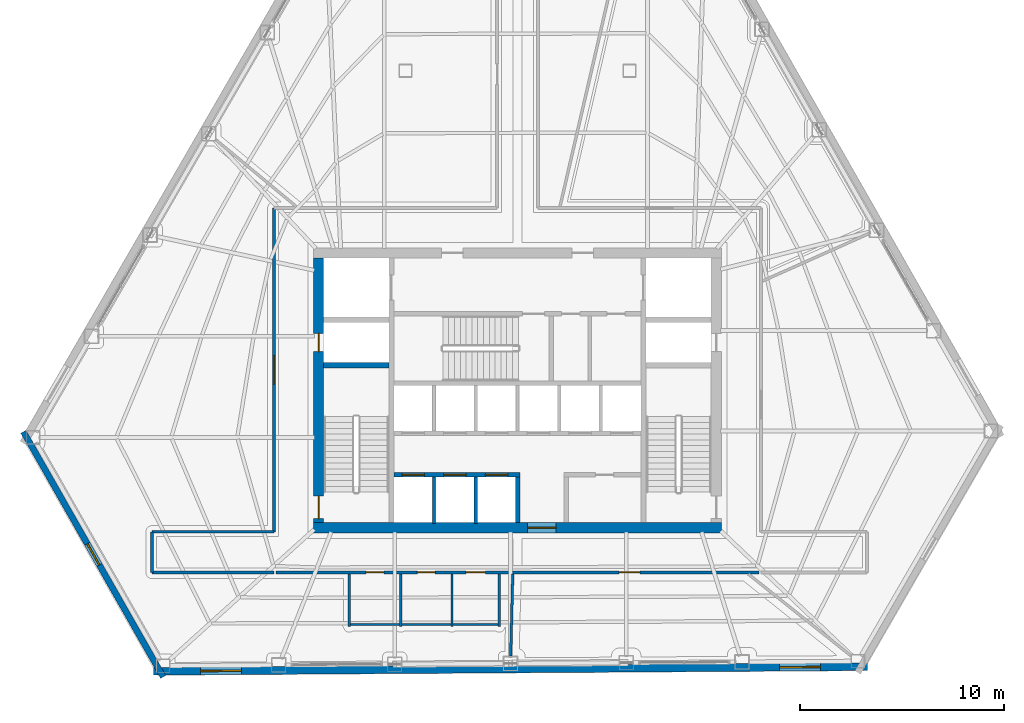
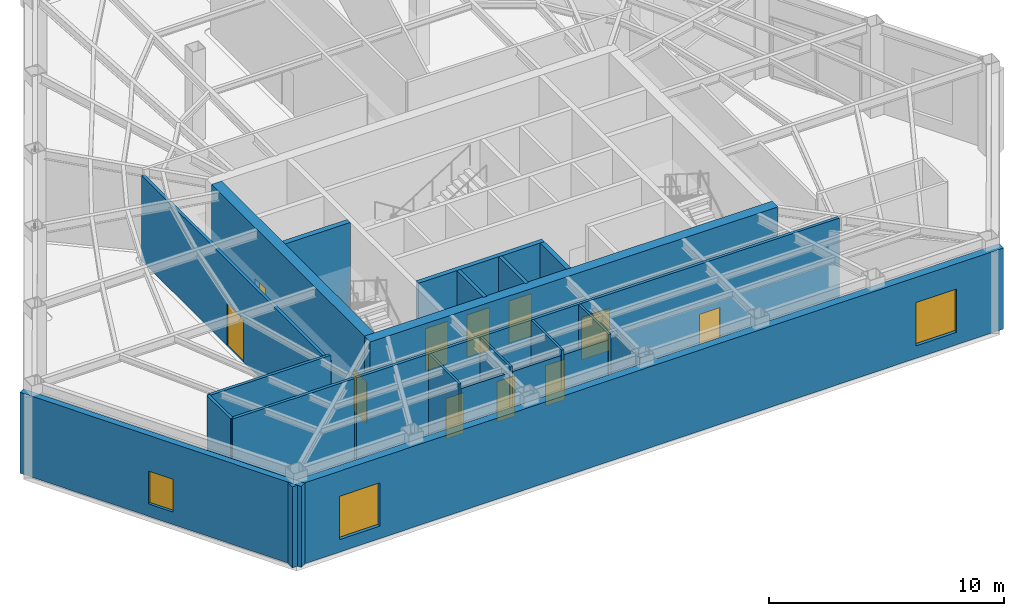
# One storey, part 9 of 14: 20 walls, 11 doors, 3 windows, 14 openings.
"""IFC4 building model written with IfcOpenShell, lengths in metres."""

from ifc_helpers import new_model, si_unit, direction, frame, frame_2d, origin, place, context, subcontext, project, spatial, rectangle, extrude, material, layer, layer_set, type_object, element, fill, save


model = new_model("IFC4")

# Units and contexts
model_context = context("Model", 3, precision=1e-05, world=origin(), true_north=direction((0.0, 1.0)))
body_context = subcontext(model_context, "Body", "Model", "MODEL_VIEW")
ifc_project = project(units=[si_unit("LENGTHUNIT", "METRE"), si_unit("AREAUNIT", "SQUARE_METRE"), si_unit("VOLUMEUNIT", "CUBIC_METRE"), si_unit("PLANEANGLEUNIT", "RADIAN"), si_unit("MASSUNIT", "GRAM", prefix="KILO")], contexts=[model_context])

# Site, building, storey
site_placement = place(None, origin())
site = spatial("IfcSite", under=ifc_project, at=site_placement, CompositionType="ELEMENT")
building_placement = place(site_placement, origin())
building = spatial("IfcBuilding", under=site, at=building_placement, Name="Kavelnor Concourse Tower", CompositionType="ELEMENT")
storey_placement = place(building_placement, frame((0.0, 0.0, 80.5)))
storey = spatial("IfcBuildingStorey", under=building, at=storey_placement, Name="L20", CompositionType="ELEMENT", Elevation=80.5)

# Wall, opening, door
ifc_material_1 = material(Name="Concrete C60/75", Category="concrete")
ifc_layer_1 = layer(ifc_material_1, 0.5, Name="Concrete C60/75")
ifc_layer_set_1 = layer_set([ifc_layer_1], Name="Concrete C60/75")
wall_type_1 = type_object("IfcWallType", Name="WL-CORE-Z2-500", PredefinedType="SOLIDWALL", material=ifc_layer_set_1)
wall_1_placement = place(storey_placement, frame((27.97998046875, 9.35009765625, 0.0), z_axis=(0.0, 0.0, 1.0), x_axis=(1.0, 0.0, 0.0)))
wall_1 = element("IfcWall", 1, at=wall_1_placement, inside=storey, type_object=wall_type_1, Name="L20 Central Core South Shear Wall", PredefinedType="SOLIDWALL", context=body_context, shape_type="SweptSolid", body=[
    extrude(rectangle(XDim=20.0400390625, YDim=0.5, at=frame_2d((10.02001953125, 0.0))), origin(), (0.0, 0.0, 1.0), 4.75),
])
opening_1_placement = place(wall_1_placement, frame((10.52001953125, 0.0, 0.0)))
opening_1 = element("IfcOpeningElement", 2, at=opening_1_placement, cuts=wall_1, Name="Opening SD-140", PredefinedType="OPENING", context=body_context, shape_type="SweptSolid", body=[
    extrude(rectangle(XDim=1.39990234375, YDim=2.199951171875, at=frame_2d((0.699951171875, 1.10009765625))), frame((0.0, 0.260009765625, 0.0), z_axis=(0.0, -1.0, 0.0), x_axis=(1.0, 0.0, 0.0)), (0.0, 0.0, 1.0), 0.52001953125),
])
ifc_material_2 = material(Name="Solid-core hardwood timber", Category="wood")
door_type_1 = type_object("IfcDoorType", Name="DR-SUITE-ENTRY-1400", OperationType="NOTDEFINED", PredefinedType="DOOR", material=ifc_material_2)
door_1_placement = place(opening_1_placement, origin())
door_1 = element("IfcDoor", 3, at=door_1_placement, inside=storey, type_object=door_type_1, Name="L20 Passenger Lift Lobby Entry Door", OperationType="SINGLE_SWING_LEFT", OverallHeight=2.199951171875, OverallWidth=1.39990234375, PredefinedType="DOOR", context=body_context, shape_type="SweptSolid", body=[
    extrude(rectangle(XDim=1.39990234375, YDim=2.199951171875, at=frame_2d((0.699951171875, 1.10009765625))), frame((0.0, 0.02490234375, 0.0), z_axis=(0.0, -1.0, 0.0), x_axis=(1.0, 0.0, 0.0)), (0.0, 0.0, 1.0), 0.050048828125),
])
fill(opening_1, door_1)

# Wall, openings, doors
wall_2_placement = place(storey_placement, frame((28.22998046875, 9.60009765625, 0.0), z_axis=(0.0, 0.0, 1.0), x_axis=(0.0, 1.0, 0.0)))
wall_2 = element("IfcWall", 4, at=wall_2_placement, inside=storey, type_object=wall_type_1, Name="L20 Central Core West Shear Wall", PredefinedType="SOLIDWALL", context=body_context, shape_type="SweptSolid", body=[
    extrude(rectangle(XDim=13.0, YDim=0.5, at=frame_2d((6.5, 0.0))), origin(), (0.0, 0.0, 1.0), 4.75),
])
opening_2_placement = place(wall_2_placement, frame((0.199951171875, 0.0, 0.0)))
opening_2 = element("IfcOpeningElement", 5, at=opening_2_placement, cuts=wall_2, Name="Opening FD-110", PredefinedType="OPENING", context=body_context, shape_type="SweptSolid", body=[
    extrude(rectangle(XDim=1.10009765625, YDim=2.14990234375, at=frame_2d((0.550048828125, 1.074951171875))), frame((0.0, 0.260009765625, 0.0), z_axis=(0.0, -1.0, 0.0), x_axis=(1.0, 0.0, 0.0)), (0.0, 0.0, 1.0), 0.52001953125),
])
opening_3_placement = place(wall_2_placement, frame((8.39990234375, 0.0, 0.0)))
opening_3 = element("IfcOpeningElement", 6, at=opening_3_placement, cuts=wall_2, Name="Opening FD-090", PredefinedType="OPENING", context=body_context, shape_type="SweptSolid", body=[
    extrude(rectangle(XDim=0.89990234375, YDim=2.10009765625, at=frame_2d((0.449951171875, 1.050048828125))), frame((0.0, 0.260009765625, 0.0), z_axis=(0.0, -1.0, 0.0), x_axis=(1.0, 0.0, 0.0)), (0.0, 0.0, 1.0), 0.52001953125),
])
ifc_material_3 = material(Name="Steel Grade 350", Category="steel")
door_type_2 = type_object("IfcDoorType", Name="DR-RISER-FIRE-900", OperationType="NOTDEFINED", PredefinedType="DOOR", material=ifc_material_3)
door_2_placement = place(opening_3_placement, origin())
door_2 = element("IfcDoor", 7, at=door_2_placement, inside=storey, type_object=door_type_2, Name="L20 West Riser Access Door", OperationType="SINGLE_SWING_RIGHT", OverallHeight=2.10009765625, OverallWidth=0.89990234375, PredefinedType="DOOR", context=body_context, shape_type="SweptSolid", body=[
    extrude(rectangle(XDim=0.89990234375, YDim=2.10009765625, at=frame_2d((0.449951171875, 1.050048828125))), frame((0.0, 0.02490234375, 0.0), z_axis=(0.0, -1.0, 0.0), x_axis=(1.0, 0.0, 0.0)), (0.0, 0.0, 1.0), 0.050048828125),
])
fill(opening_3, door_2)
door_type_3 = type_object("IfcDoorType", Name="DR-STAIR-FIRE-1100", OperationType="NOTDEFINED", PredefinedType="DOOR", material=ifc_material_3)
door_3_placement = place(opening_2_placement, origin())
door_3 = element("IfcDoor", 8, at=door_3_placement, inside=storey, type_object=door_type_3, Name="L20 Stair ST1 Fire Door", OperationType="SINGLE_SWING_LEFT", OverallHeight=2.14990234375, OverallWidth=1.10009765625, PredefinedType="DOOR", context=body_context, shape_type="SweptSolid", body=[
    extrude(rectangle(XDim=1.10009765625, YDim=2.14990234375, at=frame_2d((0.550048828125, 1.074951171875))), frame((0.0, 0.02490234375, 0.0), z_axis=(0.0, -1.0, 0.0), x_axis=(1.0, 0.0, 0.0)), (0.0, 0.0, 1.0), 0.050048828125),
])
fill(opening_2, door_3)

# Wall, opening, window
ifc_material_4 = material(Name="Buff ironspot clay face brick masonry", Category="masonry")
ifc_layer_2 = layer(ifc_material_4, 0.300048828125, Name="Buff ironspot clay face brick masonry")
ifc_layer_set_2 = layer_set([ifc_layer_2], Name="Buff ironspot clay face brick masonry")
wall_type_2 = type_object("IfcWallType", Name="WL-EXT-BUFF-BRICK-FOLD-300", PredefinedType="STANDARD", material=ifc_layer_set_2)
wall_3_placement = place(storey_placement, frame((20.59375, 2.01611328125, 0.0), z_axis=(0.0, 0.0, 1.0), x_axis=(-0.49520596698, 0.868775604093, 0.0)))
wall_3 = element("IfcWall", 9, at=wall_3_placement, inside=storey, type_object=wall_type_2, Name="L20 Exterior Brick Facade Wall E2", PredefinedType="STANDARD", context=body_context, shape_type="SweptSolid", body=[
    extrude(rectangle(XDim=13.869384765625, YDim=0.300048828125, at=frame_2d((6.9345703125, 0.0))), origin(), (0.0, 0.0, 1.0), 4.208984375),
])
opening_4_placement = place(wall_3_placement, frame((6.334716796875, 0.0, 0.64990234375)))
opening_4 = element("IfcOpeningElement", 10, at=opening_4_placement, cuts=wall_3, Name="Opening W-05", PredefinedType="OPENING", context=body_context, shape_type="SweptSolid", body=[
    extrude(rectangle(XDim=1.199951171875, YDim=1.699951171875, at=frame_2d((0.60009765625, 0.85009765625))), frame((0.0, 0.16015625, 0.0), z_axis=(0.0, -1.0, 0.0), x_axis=(1.0, 0.0, 0.0)), (0.0, 0.0, 1.0), 0.320068359375),
])
ifc_material_5 = material(Name="Double low-E argon insulated glazing", Category="glass")
window_type_1 = type_object("IfcWindowType", Name="WIN-FOLD-1200", PartitioningType="SINGLE_PANEL", PredefinedType="WINDOW", material=ifc_material_5)
window_1_placement = place(opening_4_placement, origin())
window_1 = element("IfcWindow", 11, at=window_1_placement, inside=storey, type_object=window_type_1, Name="L20 Chamfer-Fold Facet Window C1", OverallHeight=1.699951171875, OverallWidth=1.199951171875, PartitioningType="SINGLE_PANEL", PredefinedType="WINDOW", context=body_context, shape_type="SweptSolid", body=[
    extrude(rectangle(XDim=1.199951171875, YDim=1.699951171875, at=frame_2d((0.60009765625, 0.85009765625))), frame((0.0, 0.030029296875, 0.0), z_axis=(0.0, -1.0, 0.0), x_axis=(1.0, 0.0, 0.0)), (0.0, 0.0, 1.0), 0.06005859375),
])
fill(opening_4, window_1)

# Wall, openings, windows
ifc_material_6 = material(Name="Red-ochre clay face brick masonry", Category="masonry")
ifc_layer_3 = layer(ifc_material_6, 0.3798828125, Name="Red-ochre clay face brick masonry")
ifc_layer_set_3 = layer_set([ifc_layer_3], Name="Red-ochre clay face brick masonry")
wall_type_3 = type_object("IfcWallType", Name="WL-EXT-RED-BRICK-PIER-380", PredefinedType="STANDARD", material=ifc_layer_set_3)
wall_4_placement = place(storey_placement, frame((55.2001953125, 2.52001953125, 0.0), z_axis=(0.0, 0.0, 1.0), x_axis=(-0.999979379683, -0.006421854009, 0.0)))
wall_4 = element("IfcWall", 12, at=wall_4_placement, inside=storey, type_object=wall_type_3, Name="L20 Exterior Brick Facade Wall E3", PredefinedType="STANDARD", context=body_context, shape_type="SweptSolid", body=[
    extrude(rectangle(XDim=35.08984375, YDim=0.3798828125, at=frame_2d((17.544921875, 0.0))), origin(), (0.0, 0.0, 1.0), 4.208984375),
])
opening_5_placement = place(wall_4_placement, frame((30.7646484375, 0.0, 0.64990234375)))
opening_5 = element("IfcOpeningElement", 13, at=opening_5_placement, cuts=wall_4, Name="Opening W-07", PredefinedType="OPENING", context=body_context, shape_type="SweptSolid", body=[
    extrude(rectangle(XDim=2.0, YDim=2.25, at=frame_2d((1.0, 1.125))), frame((0.0, 0.199951171875, 0.0), z_axis=(0.0, -1.0, 0.0), x_axis=(1.0, 0.0, 0.0)), (0.0, 0.0, 1.0), 0.39990234375),
])
opening_6_placement = place(wall_4_placement, frame((2.3193359375, 0.0, 0.64990234375)))
opening_6 = element("IfcOpeningElement", 14, at=opening_6_placement, cuts=wall_4, Name="Opening W-07", PredefinedType="OPENING", context=body_context, shape_type="SweptSolid", body=[
    extrude(rectangle(XDim=2.0, YDim=2.25, at=frame_2d((1.0, 1.125))), frame((0.0, 0.199951171875, 0.0), z_axis=(0.0, -1.0, 0.0), x_axis=(1.0, 0.0, 0.0)), (0.0, 0.0, 1.0), 0.39990234375),
])
window_type_2 = type_object("IfcWindowType", Name="WIN-SKYLOBBY-2200", PartitioningType="SINGLE_PANEL", PredefinedType="WINDOW", material=ifc_material_5)
window_2_placement = place(opening_5_placement, origin())
window_2 = element("IfcWindow", 15, at=window_2_placement, inside=storey, type_object=window_type_2, Name="L20 Deep-Set Brick Pier Window F1-B0", OverallHeight=2.25, OverallWidth=2.0, PartitioningType="SINGLE_PANEL", PredefinedType="WINDOW", context=body_context, shape_type="SweptSolid", body=[
    extrude(rectangle(XDim=2.0, YDim=2.25, at=frame_2d((1.0, 1.125))), frame((0.0, 0.030029296875, 0.0), z_axis=(0.0, -1.0, 0.0), x_axis=(1.0, 0.0, 0.0)), (0.0, 0.0, 1.0), 0.06005859375),
])
fill(opening_5, window_2)
window_3_placement = place(opening_6_placement, origin())
window_3 = element("IfcWindow", 16, at=window_3_placement, inside=storey, type_object=window_type_2, Name="L20 Deep-Set Brick Pier Window F1-B5", OverallHeight=2.25, OverallWidth=2.0, PartitioningType="SINGLE_PANEL", PredefinedType="WINDOW", context=body_context, shape_type="SweptSolid", body=[
    extrude(rectangle(XDim=2.0, YDim=2.25, at=frame_2d((1.0, 1.125))), frame((0.0, 0.030029296875, 0.0), z_axis=(0.0, -1.0, 0.0), x_axis=(1.0, 0.0, 0.0)), (0.0, 0.0, 1.0), 0.06005859375),
])
fill(opening_6, window_3)

# Wall
ifc_material_7 = material(Name="Gypsum plasterboard on light-gauge steel studs", Category="steel")
ifc_layer_4 = layer(ifc_material_7, 0.14501953125, Name="Gypsum plasterboard on light-gauge steel studs")
ifc_layer_set_4 = layer_set([ifc_layer_4], Name="Gypsum plasterboard on light-gauge steel studs")
wall_type_4 = type_object("IfcWallType", Name="WL-INT-CORR-145", PredefinedType="PARTITIONING", material=ifc_layer_set_4)
wall_5_placement = place(storey_placement, frame((20.049560546875, 9.14990234375, 0.0), z_axis=(0.0, 0.0, 1.0), x_axis=(1.0, 0.0, 0.0)))
element("IfcWall", 17, at=wall_5_placement, inside=storey, type_object=wall_type_4, Name="L20 Corridor Wall WL-L20-CR-01", PredefinedType="PARTITIONING", context=body_context, shape_type="SweptSolid", body=[
    extrude(rectangle(XDim=5.98046875, YDim=0.14501953125, at=frame_2d((2.990234375, 0.0))), origin(), (0.0, 0.0, 1.0), 4.75),
])

# Wall, opening, door
wall_6_placement = place(storey_placement, frame((26.030029296875, 9.14990234375, 0.0), z_axis=(0.0, 0.0, 1.0), x_axis=(0.0, 1.0, 0.0)))
wall_6 = element("IfcWall", 18, at=wall_6_placement, inside=storey, type_object=wall_type_4, Name="L20 Corridor Wall WL-L20-CR-02", PredefinedType="PARTITIONING", context=body_context, shape_type="SweptSolid", body=[
    extrude(rectangle(XDim=15.900146484375, YDim=0.14501953125, at=frame_2d((7.9501953125, 0.0))), origin(), (0.0, 0.0, 1.0), 4.43798828125),
])
opening_7_placement = place(wall_6_placement, frame((7.25, 0.0, 0.0)))
opening_7 = element("IfcOpeningElement", 19, at=opening_7_placement, cuts=wall_6, Name="Opening SD-140", PredefinedType="OPENING", context=body_context, shape_type="SweptSolid", body=[
    extrude(rectangle(XDim=1.39990234375, YDim=2.199951171875, at=frame_2d((0.699951171875, 1.10009765625))), frame((0.0, 0.08251953125, 0.0), z_axis=(0.0, -1.0, 0.0), x_axis=(1.0, 0.0, 0.0)), (0.0, 0.0, 1.0), 0.1650390625),
])
door_4_placement = place(opening_7_placement, origin())
door_4 = element("IfcDoor", 20, at=door_4_placement, inside=storey, type_object=door_type_1, Name="L20 Sky Banquet Dining Room 03 Door", OperationType="SINGLE_SWING_RIGHT", OverallHeight=2.199951171875, OverallWidth=1.39990234375, PredefinedType="DOOR", context=body_context, shape_type="SweptSolid", body=[
    extrude(rectangle(XDim=1.39990234375, YDim=2.199951171875, at=frame_2d((0.699951171875, 1.10009765625))), frame((0.0, 0.02490234375, 0.0), z_axis=(0.0, -1.0, 0.0), x_axis=(1.0, 0.0, 0.0)), (0.0, 0.0, 1.0), 0.050048828125),
])
fill(opening_7, door_4)

# Wall, openings, doors
wall_7_placement = place(storey_placement, frame((49.8701171875, 7.14990234375, 0.0), z_axis=(0.0, 0.0, 1.0), x_axis=(-1.0, 0.0, 0.0)))
wall_7 = element("IfcWall", 21, at=wall_7_placement, inside=storey, type_object=wall_type_4, Name="L20 Corridor Wall WL-L20-CR-12", PredefinedType="PARTITIONING", context=body_context, shape_type="SweptSolid", body=[
    extrude(rectangle(XDim=23.740234375, YDim=0.14501953125, at=frame_2d((11.8701171875, 0.0))), origin(), (0.0, 0.0, 1.0), 4.75),
])
opening_8_placement = place(wall_7_placement, frame((18.429931640625, 0.0, 0.0)))
opening_8 = element("IfcOpeningElement", 22, at=opening_8_placement, cuts=wall_7, Name="Opening WD-088", PredefinedType="OPENING", context=body_context, shape_type="SweptSolid", body=[
    extrude(rectangle(XDim=0.8798828125, YDim=2.10009765625, at=frame_2d((0.43994140625, 1.050048828125))), frame((0.0, 0.08251953125, 0.0), z_axis=(0.0, -1.0, 0.0), x_axis=(1.0, 0.0, 0.0)), (0.0, 0.0, 1.0), 0.1650390625),
])
opening_9_placement = place(wall_7_placement, frame((15.909912109375, 0.0, 0.0)))
opening_9 = element("IfcOpeningElement", 23, at=opening_9_placement, cuts=wall_7, Name="Opening WD-088", PredefinedType="OPENING", context=body_context, shape_type="SweptSolid", body=[
    extrude(rectangle(XDim=0.8798828125, YDim=2.10009765625, at=frame_2d((0.43994140625, 1.050048828125))), frame((0.0, 0.08251953125, 0.0), z_axis=(0.0, -1.0, 0.0), x_axis=(1.0, 0.0, 0.0)), (0.0, 0.0, 1.0), 0.1650390625),
])
opening_10_placement = place(wall_7_placement, frame((13.449951171875, 0.0, 0.0)))
opening_10 = element("IfcOpeningElement", 24, at=opening_10_placement, cuts=wall_7, Name="Opening WD-096", PredefinedType="OPENING", context=body_context, shape_type="SweptSolid", body=[
    extrude(rectangle(XDim=0.9599609375, YDim=2.10009765625, at=frame_2d((0.47998046875, 1.050048828125))), frame((0.0, 0.08251953125, 0.0), z_axis=(0.0, -1.0, 0.0), x_axis=(1.0, 0.0, 0.0)), (0.0, 0.0, 1.0), 0.1650390625),
])
opening_11_placement = place(wall_7_placement, frame((5.85693359375, 0.0, 0.0)))
opening_11 = element("IfcOpeningElement", 25, at=opening_11_placement, cuts=wall_7, Name="Opening MD-102", PredefinedType="OPENING", context=body_context, shape_type="SweptSolid", body=[
    extrude(rectangle(XDim=1.02001953125, YDim=2.14990234375, at=frame_2d((0.510009765625, 1.074951171875))), frame((0.0, 0.08251953125, 0.0), z_axis=(0.0, -1.0, 0.0), x_axis=(1.0, 0.0, 0.0)), (0.0, 0.0, 1.0), 0.1650390625),
])
ifc_material_8 = material(Name="Acoustic glazed timber frame", Category="wood")
door_type_4 = type_object("IfcDoorType", Name="DR-MEETING-1020", OperationType="NOTDEFINED", PredefinedType="DOOR", material=ifc_material_8)
door_5_placement = place(opening_11_placement, origin())
door_5 = element("IfcDoor", 26, at=door_5_placement, inside=storey, type_object=door_type_4, Name="L20 Members Hospitality Meeting Room 04 Door", OperationType="SINGLE_SWING_LEFT", OverallHeight=2.14990234375, OverallWidth=1.02001953125, PredefinedType="DOOR", context=body_context, shape_type="SweptSolid", body=[
    extrude(rectangle(XDim=1.02001953125, YDim=2.14990234375, at=frame_2d((0.510009765625, 1.074951171875))), frame((0.0, 0.02490234375, 0.0), z_axis=(0.0, -1.0, 0.0), x_axis=(1.0, 0.0, 0.0)), (0.0, 0.0, 1.0), 0.050048828125),
])
fill(opening_11, door_5)
door_type_5 = type_object("IfcDoorType", Name="DR-WC-ACC-960", OperationType="NOTDEFINED", PredefinedType="DOOR", material=ifc_material_2)
door_6_placement = place(opening_10_placement, origin())
door_6 = element("IfcDoor", 27, at=door_6_placement, inside=storey, type_object=door_type_5, Name="L20 Accessible WC Door", OperationType="SINGLE_SWING_LEFT", OverallHeight=2.10009765625, OverallWidth=0.9599609375, PredefinedType="DOOR", context=body_context, shape_type="SweptSolid", body=[
    extrude(rectangle(XDim=0.9599609375, YDim=2.10009765625, at=frame_2d((0.47998046875, 1.050048828125))), frame((0.0, 0.02490234375, 0.0), z_axis=(0.0, -1.0, 0.0), x_axis=(1.0, 0.0, 0.0)), (0.0, 0.0, 1.0), 0.050048828125),
])
fill(opening_10, door_6)
door_type_6 = type_object("IfcDoorType", Name="DR-WC-STD-880", OperationType="NOTDEFINED", PredefinedType="DOOR", material=ifc_material_2)
door_7_placement = place(opening_8_placement, origin())
door_7 = element("IfcDoor", 28, at=door_7_placement, inside=storey, type_object=door_type_6, Name="L20 Male WC Door", OperationType="SINGLE_SWING_LEFT", OverallHeight=2.10009765625, OverallWidth=0.8798828125, PredefinedType="DOOR", context=body_context, shape_type="SweptSolid", body=[
    extrude(rectangle(XDim=0.8798828125, YDim=2.10009765625, at=frame_2d((0.43994140625, 1.050048828125))), frame((0.0, 0.02490234375, 0.0), z_axis=(0.0, -1.0, 0.0), x_axis=(1.0, 0.0, 0.0)), (0.0, 0.0, 1.0), 0.050048828125),
])
fill(opening_8, door_7)
door_8_placement = place(opening_9_placement, origin())
door_8 = element("IfcDoor", 29, at=door_8_placement, inside=storey, type_object=door_type_6, Name="L20 Female WC Door", OperationType="SINGLE_SWING_RIGHT", OverallHeight=2.10009765625, OverallWidth=0.8798828125, PredefinedType="DOOR", context=body_context, shape_type="SweptSolid", body=[
    extrude(rectangle(XDim=0.8798828125, YDim=2.10009765625, at=frame_2d((0.43994140625, 1.050048828125))), frame((0.0, 0.02490234375, 0.0), z_axis=(0.0, -1.0, 0.0), x_axis=(1.0, 0.0, 0.0)), (0.0, 0.0, 1.0), 0.050048828125),
])
fill(opening_9, door_8)

# Walls
wall_8_placement = place(storey_placement, frame((26.030029296875, 7.14990234375, 0.0), z_axis=(0.0, 0.0, 1.0), x_axis=(-1.0, 0.0, 0.0)))
element("IfcWall", 30, at=wall_8_placement, inside=storey, type_object=wall_type_4, Name="L20 Corridor Wall WL-L20-CR-13", PredefinedType="PARTITIONING", context=body_context, shape_type="SweptSolid", body=[
    extrude(rectangle(XDim=5.98046875, YDim=0.14501953125, at=frame_2d((2.990234375, 0.0))), origin(), (0.0, 0.0, 1.0), 4.75),
])
wall_9_placement = place(storey_placement, frame((20.049560546875, 7.14990234375, 0.0), z_axis=(0.0, 0.0, 1.0), x_axis=(0.0, 1.0, 0.0)))
element("IfcWall", 31, at=wall_9_placement, inside=storey, type_object=wall_type_4, Name="L20 Corridor Wall WL-L20-CR-14", PredefinedType="PARTITIONING", context=body_context, shape_type="SweptSolid", body=[
    extrude(rectangle(XDim=2.0, YDim=0.14501953125, at=frame_2d((1.0, 0.0))), origin(), (0.0, 0.0, 1.0), 4.75),
])
ifc_layer_5 = layer(ifc_material_7, 0.1650390625, Name="Gypsum plasterboard on light-gauge steel studs")
ifc_layer_set_5 = layer_set([ifc_layer_5], Name="Gypsum plasterboard on light-gauge steel studs")
wall_type_5 = type_object("IfcWallType", Name="WL-INT-FIRE-165", PredefinedType="PARTITIONING", material=ifc_layer_set_5)
for number, where, z_axis, x_axis, name in (
    (32, (33.89990234375, 9.550048828125, 0.0), (0.0, 0.0, 1.0), (0.0, 1.0, 0.0), "L20 Lift Shaft Divider LP7"),
    (33, (35.949951171875, 9.550048828125, 0.0), (0.0, 0.0, 1.0), (0.0, 1.0, 0.0), "L20 Lift Shaft Divider LP8"),
):
    element("IfcWall", number, at=place(storey_placement, frame(where, z_axis=z_axis, x_axis=x_axis)), inside=storey, type_object=wall_type_5, Name=name, PredefinedType="PARTITIONING", context=body_context, shape_type="SweptSolid", body=[
        extrude(rectangle(XDim=2.2900390625, YDim=0.1650390625, at=frame_2d((1.14501953125, 0.0))), origin(), (0.0, 0.0, 1.0), 4.75),
    ])
ifc_layer_6 = layer(ifc_material_7, 0.125, Name="Gypsum plasterboard on light-gauge steel studs")
ifc_layer_set_6 = layer_set([ifc_layer_6], Name="Gypsum plasterboard on light-gauge steel studs")
wall_type_6 = type_object("IfcWallType", Name="WL-INT-SUITE-125", PredefinedType="PARTITIONING", material=ifc_layer_set_6)
wall_10_placement = place(storey_placement, frame((37.769287109375, 7.069580078125, 0.0), z_axis=(0.0, 0.0, 1.0), x_axis=(-0.025533139841, -0.999673976239, 0.0)))
element("IfcWall", 34, at=wall_10_placement, inside=storey, type_object=wall_type_6, Name="L20 Radial Suite Partition 04", PredefinedType="PARTITIONING", context=body_context, shape_type="SweptSolid", body=[
    extrude(rectangle(XDim=4.025390625, YDim=0.125, at=frame_2d((2.0126953125, 0.0))), origin(), (0.0, 0.0, 1.0), 4.291015625),
])
ifc_layer_7 = layer(ifc_material_7, 0.110107421875, Name="Gypsum plasterboard on light-gauge steel studs")
ifc_layer_set_7 = layer_set([ifc_layer_7], Name="Gypsum plasterboard on light-gauge steel studs")
wall_type_7 = type_object("IfcWallType", Name="WL-INT-WC-110", PredefinedType="PLUMBINGWALL", material=ifc_layer_set_7)
for number, where, z_axis, x_axis, name in (
    (35, (29.739990234375, 4.5, 0.0), (0.0, 0.0, 1.0), (0.0, 1.0, 0.0), "L20 Sanitary Partition WL-L20-WC-W"),
    (36, (32.260009765625, 4.5, 0.0), (0.0, 0.0, 1.0), (0.0, 1.0, 0.0), "L20 Sanitary Partition WL-L20-WC-D1"),
    (37, (34.780029296875, 4.5, 0.0), (0.0, 0.0, 1.0), (0.0, 1.0, 0.0), "L20 Sanitary Partition WL-L20-WC-D2"),
    (38, (37.10009765625, 4.5, 0.0), (0.0, 0.0, 1.0), (0.0, 1.0, 0.0), "L20 Sanitary Partition WL-L20-WC-E"),
):
    element("IfcWall", number, at=place(storey_placement, frame(where, z_axis=z_axis, x_axis=x_axis)), inside=storey, type_object=wall_type_7, Name=name, PredefinedType="PLUMBINGWALL", context=body_context, shape_type="SweptSolid", body=[
        extrude(rectangle(XDim=2.580078125, YDim=0.110107421875, at=frame_2d((1.2900390625, 0.0))), origin(), (0.0, 0.0, 1.0), 4.75),
    ])
wall_11_placement = place(storey_placement, frame((29.68994140625, 4.60009765625, 0.0), z_axis=(0.0, 0.0, 1.0), x_axis=(1.0, 0.0, 0.0)))
element("IfcWall", 39, at=wall_11_placement, inside=storey, type_object=wall_type_7, Name="L20 Sanitary Partition WL-L20-WC-S", PredefinedType="PLUMBINGWALL", context=body_context, shape_type="SweptSolid", body=[
    extrude(rectangle(XDim=7.4599609375, YDim=0.110107421875, at=frame_2d((3.72998046875, 0.0))), origin(), (0.0, 0.0, 1.0), 4.43798828125),
])

# Wall, openings, doors
ifc_material_9 = material(Name="Concrete C50/60", Category="concrete")
ifc_layer_8 = layer(ifc_material_9, 0.219970703125, Name="Concrete C50/60")
ifc_layer_set_8 = layer_set([ifc_layer_8], Name="Concrete C50/60")
wall_type_8 = type_object("IfcWallType", Name="WL-SHAFT-220", PredefinedType="SOLIDWALL", material=ifc_layer_set_8)
wall_12_placement = place(storey_placement, frame((31.93994140625, 11.949951171875, 0.0), z_axis=(0.0, 0.0, 1.0), x_axis=(1.0, 0.0, 0.0)))
wall_12 = element("IfcWall", 40, at=wall_12_placement, inside=storey, type_object=wall_type_8, Name="L20 High-Rise Lift Bank North Wall", PredefinedType="SOLIDWALL", context=body_context, shape_type="SweptSolid", body=[
    extrude(rectangle(XDim=6.18994140625, YDim=0.219970703125, at=frame_2d((3.094970703125, 0.0))), origin(), (0.0, 0.0, 1.0), 4.75),
])
opening_12_placement = place(wall_12_placement, frame((0.385009765625, 0.0, 0.0)))
opening_12 = element("IfcOpeningElement", 41, at=opening_12_placement, cuts=wall_12, Name="Opening LD-110", PredefinedType="OPENING", context=body_context, shape_type="SweptSolid", body=[
    extrude(rectangle(XDim=1.10009765625, YDim=2.199951171875, at=frame_2d((0.550048828125, 1.10009765625))), frame((0.0, 0.1201171875, 0.0), z_axis=(0.0, -1.0, 0.0), x_axis=(1.0, 0.0, 0.0)), (0.0, 0.0, 1.0), 0.239990234375),
])
opening_13_placement = place(wall_12_placement, frame((2.43505859375, 0.0, 0.0)))
opening_13 = element("IfcOpeningElement", 42, at=opening_13_placement, cuts=wall_12, Name="Opening LD-110", PredefinedType="OPENING", context=body_context, shape_type="SweptSolid", body=[
    extrude(rectangle(XDim=1.10009765625, YDim=2.199951171875, at=frame_2d((0.550048828125, 1.10009765625))), frame((0.0, 0.1201171875, 0.0), z_axis=(0.0, -1.0, 0.0), x_axis=(1.0, 0.0, 0.0)), (0.0, 0.0, 1.0), 0.239990234375),
])
opening_14_placement = place(wall_12_placement, frame((4.485107421875, 0.0, 0.0)))
opening_14 = element("IfcOpeningElement", 43, at=opening_14_placement, cuts=wall_12, Name="Opening LD-110", PredefinedType="OPENING", context=body_context, shape_type="SweptSolid", body=[
    extrude(rectangle(XDim=1.10009765625, YDim=2.199951171875, at=frame_2d((0.550048828125, 1.10009765625))), frame((0.0, 0.1201171875, 0.0), z_axis=(0.0, -1.0, 0.0), x_axis=(1.0, 0.0, 0.0)), (0.0, 0.0, 1.0), 0.239990234375),
])
door_type_7 = type_object("IfcDoorType", Name="DR-LIFT-SLIDING-1100", OperationType="NOTDEFINED", PredefinedType="DOOR", material=ifc_material_3)
door_9_placement = place(opening_12_placement, origin())
door_9 = element("IfcDoor", 44, at=door_9_placement, inside=storey, type_object=door_type_7, Name="L20 Lift LP7 Landing Door", OperationType="DOUBLE_DOOR_SLIDING", OverallHeight=2.199951171875, OverallWidth=1.10009765625, PredefinedType="DOOR", context=body_context, shape_type="SweptSolid", body=[
    extrude(rectangle(XDim=1.10009765625, YDim=2.199951171875, at=frame_2d((0.550048828125, 1.10009765625))), frame((0.0, 0.02490234375, 0.0), z_axis=(0.0, -1.0, 0.0), x_axis=(1.0, 0.0, 0.0)), (0.0, 0.0, 1.0), 0.050048828125),
])
fill(opening_12, door_9)
door_10_placement = place(opening_13_placement, origin())
door_10 = element("IfcDoor", 45, at=door_10_placement, inside=storey, type_object=door_type_7, Name="L20 Lift LP8 Landing Door", OperationType="DOUBLE_DOOR_SLIDING", OverallHeight=2.199951171875, OverallWidth=1.10009765625, PredefinedType="DOOR", context=body_context, shape_type="SweptSolid", body=[
    extrude(rectangle(XDim=1.10009765625, YDim=2.199951171875, at=frame_2d((0.550048828125, 1.10009765625))), frame((0.0, 0.02490234375, 0.0), z_axis=(0.0, -1.0, 0.0), x_axis=(1.0, 0.0, 0.0)), (0.0, 0.0, 1.0), 0.050048828125),
])
fill(opening_13, door_10)
door_11_placement = place(opening_14_placement, origin())
door_11 = element("IfcDoor", 46, at=door_11_placement, inside=storey, type_object=door_type_7, Name="L20 Lift LP9 Landing Door", OperationType="DOUBLE_DOOR_SLIDING", OverallHeight=2.199951171875, OverallWidth=1.10009765625, PredefinedType="DOOR", context=body_context, shape_type="SweptSolid", body=[
    extrude(rectangle(XDim=1.10009765625, YDim=2.199951171875, at=frame_2d((0.550048828125, 1.10009765625))), frame((0.0, 0.02490234375, 0.0), z_axis=(0.0, -1.0, 0.0), x_axis=(1.0, 0.0, 0.0)), (0.0, 0.0, 1.0), 0.050048828125),
])
fill(opening_14, door_11)

# Walls
wall_13_placement = place(storey_placement, frame((38.02001953125, 9.60009765625, 0.0), z_axis=(0.0, 0.0, 1.0), x_axis=(0.0, 1.0, 0.0)))
element("IfcWall", 47, at=wall_13_placement, inside=storey, type_object=wall_type_8, Name="L20 Lift Lobby Throat West Wall", PredefinedType="SOLIDWALL", context=body_context, shape_type="SweptSolid", body=[
    extrude(rectangle(XDim=2.239990234375, YDim=0.219970703125, at=frame_2d((1.1201171875, 0.0))), origin(), (0.0, 0.0, 1.0), 4.75),
])
ifc_layer_9 = layer(ifc_material_9, 0.260009765625, Name="Concrete C50/60")
ifc_layer_set_9 = layer_set([ifc_layer_9], Name="Concrete C50/60")
wall_type_9 = type_object("IfcWallType", Name="WL-SHAFT-260", PredefinedType="SHEAR", material=ifc_layer_set_9)
wall_14_placement = place(storey_placement, frame((28.47998046875, 17.330078125, 0.0), z_axis=(0.0, 0.0, 1.0), x_axis=(1.0, 0.0, 0.0)))
element("IfcWall", 48, at=wall_14_placement, inside=storey, type_object=wall_type_9, Name="L20 Stair ST1 North Shaft Wall", PredefinedType="SHEAR", context=body_context, shape_type="SweptSolid", body=[
    extrude(rectangle(XDim=3.199951171875, YDim=0.260009765625, at=frame_2d((1.60009765625, 0.0))), origin(), (0.0, 0.0, 1.0), 4.75),
])

save(model, "model.ifc")
